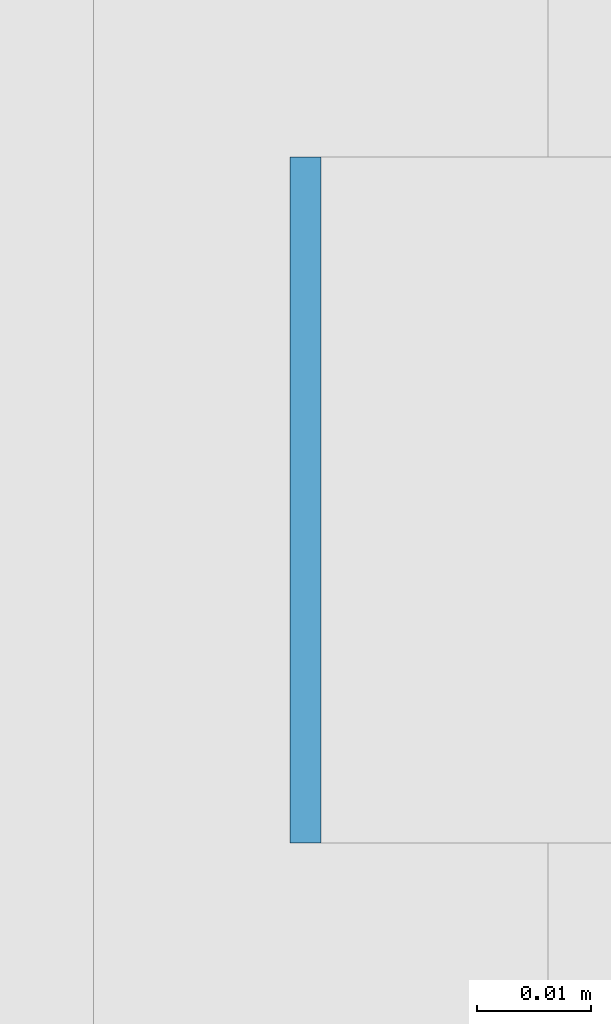
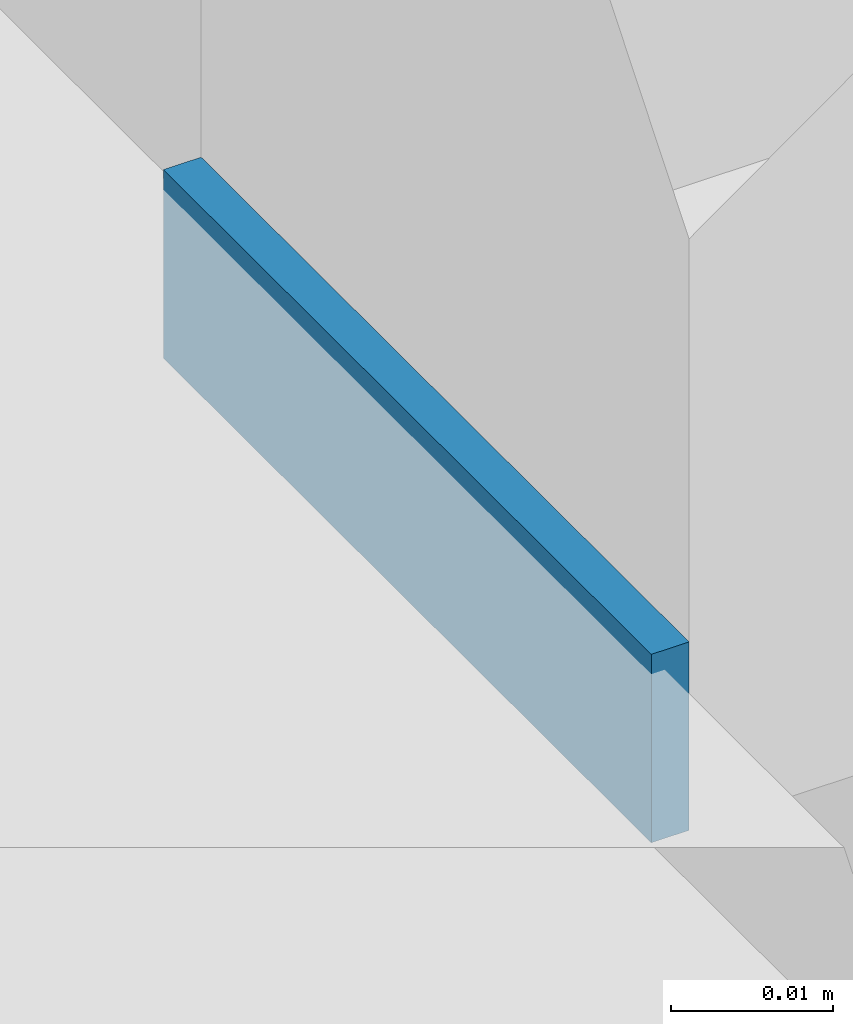
# One storey, part 498 of 646: 1 discrete accessory.
"""IFC4 building model written with IfcOpenShell, lengths in metres."""

from ifc_helpers import new_model, si_unit, direction, frame, origin, origin_2d, place, context, subcontext, project, spatial, rectangle, extrude, material, type_object, element, save


model = new_model("IFC4")

# Units and contexts
model_context = context("Model", 3, precision=1e-05, world=origin(), true_north=direction((0.0, 1.0)))
body_context = subcontext(model_context, "Body", "Model", "MODEL_VIEW")
ifc_project = project(units=[si_unit("LENGTHUNIT", "METRE"), si_unit("AREAUNIT", "SQUARE_METRE"), si_unit("VOLUMEUNIT", "CUBIC_METRE"), si_unit("PLANEANGLEUNIT", "RADIAN"), si_unit("MASSUNIT", "GRAM", prefix="KILO")], contexts=[model_context])

# Site, building, storey
site_placement = place(None, origin())
site = spatial("IfcSite", under=ifc_project, at=site_placement, CompositionType="ELEMENT")
building_placement = place(site_placement, origin())
building = spatial("IfcBuilding", under=site, at=building_placement, Name="Silverbay Arena", CompositionType="ELEMENT")
storey_placement = place(building_placement, frame((0.0, 0.0, 33.5)))
storey = spatial("IfcBuildingStorey", under=building, at=storey_placement, Name="L05", CompositionType="ELEMENT", Elevation=33.5)

# Discrete accessory
ifc_material = material(Name="Steel S355", Category="steel")
discrete_accessory_type = type_object("IfcDiscreteAccessoryType", Name="Steel bracket plate", PredefinedType="BRACKET", material=ifc_material)
discrete_accessory_placement = place(storey_placement, frame((207.128662109375, 65.571533203125, 4.0), z_axis=(0.0, 0.0, 1.0), x_axis=(1.0, 0.0, 0.0)))
element("IfcDiscreteAccessory", 1, at=discrete_accessory_placement, inside=storey, type_object=discrete_accessory_type, Name="Curtain wall packing plate", PredefinedType="BRACKET", context=body_context, shape_type="SweptSolid", body=[
    extrude(rectangle(XDim=0.002685546875, YDim=0.06005859375, at=origin_2d()), origin(), (0.0, 0.0, 1.0), 0.01416015625),
])

save(model, "model.ifc")
